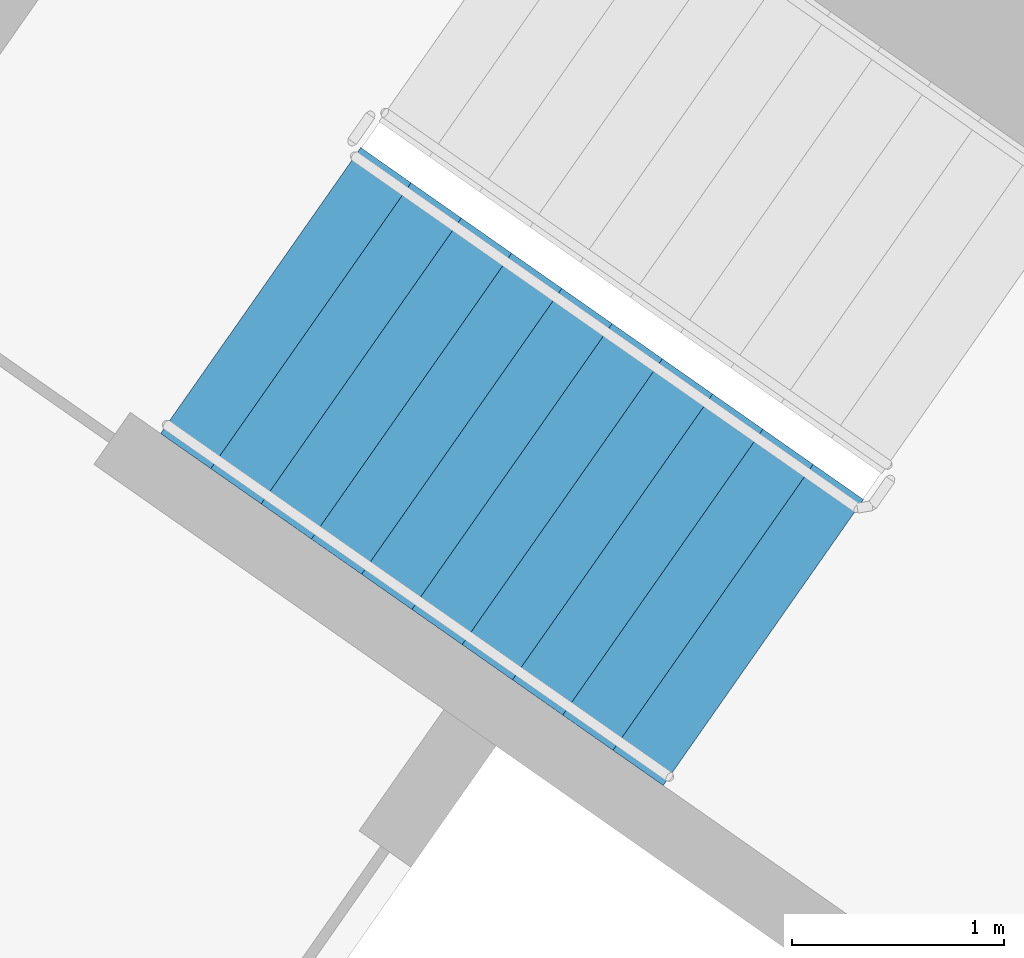
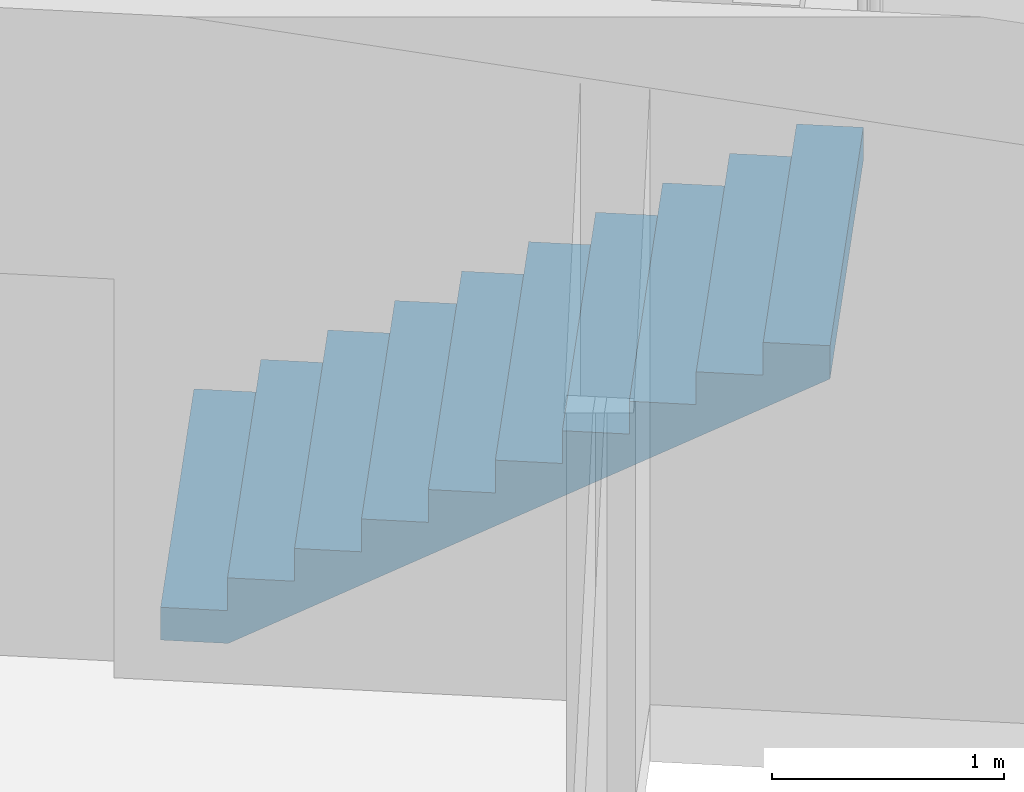
# One storey, part 10 of 31: 1 stair flight, 1 element without a shape of its own.
"""IFC4 building model written with IfcOpenShell, lengths in metres."""

from ifc_helpers import new_model, si_unit, direction, frame, origin, place, context, subcontext, project, spatial, faceted_brep, material, type_object, element, aggregate, save


model = new_model("IFC4")

# Units and contexts
model_context = context("Model", 3, precision=1e-05, world=origin(), true_north=direction((0.0, 1.0)))
body_context = subcontext(model_context, "Body", "Model", "MODEL_VIEW")
ifc_project = project(units=[si_unit("LENGTHUNIT", "METRE"), si_unit("AREAUNIT", "SQUARE_METRE"), si_unit("VOLUMEUNIT", "CUBIC_METRE"), si_unit("PLANEANGLEUNIT", "RADIAN"), si_unit("MASSUNIT", "GRAM", prefix="KILO")], contexts=[model_context])

# Site, building, storey
site_placement = place(None, origin())
site = spatial("IfcSite", under=ifc_project, at=site_placement, CompositionType="ELEMENT")
building_placement = place(site_placement, origin())
building = spatial("IfcBuilding", under=site, at=building_placement, Name="Qamariyya Broadcast Tower", CompositionType="ELEMENT")
storey_placement = place(building_placement, frame((0.0, 0.0, 149.300048828125)))
storey = spatial("IfcBuildingStorey", under=building, at=storey_placement, Name="L34", CompositionType="ELEMENT", Elevation=149.300048828125)

# Stair, stair flight
ifc_material = material(Name="Concrete C50/60", Category="concrete")
stair_type = type_object("IfcStairType", Name="Exit stair 22 risers of 173 mm", PredefinedType="HALF_TURN_STAIR", material=ifc_material)
stair_placement = place(storey_placement, origin())
stair = element("IfcStair", 1, at=stair_placement, inside=storey, type_object=stair_type, Name="L34 Stair W2", PredefinedType="HALF_TURN_STAIR")
stair_flight_type = type_object("IfcStairFlightType", Name="Exit stair flight 11 risers of 173 mm", PredefinedType="STRAIGHT", material=ifc_material)
stair_flight_placement = place(storey_placement, frame((-41.59130859375, -49.15966796875, 0.0), z_axis=(0.0, 0.0, 1.0), x_axis=(0.819152044289, -0.573576436351, 0.0)))
stair_flight = element("IfcStairFlight", 2, at=stair_flight_placement, type_object=stair_flight_type, Name="ST-W2 flight 1", NumberOfRisers=11, NumberOfTreads=10, PredefinedType="STRAIGHT", RiserHeight=0.172727273, TreadLength=0.29, context=body_context, shape_type="Brep", body=[
    faceted_brep([(0.0, 0.824951171875, 0.0), (0.0, 0.824951171875, 0.172607421875), (0.2900390625, 0.824951171875, 0.172607421875), (0.2900390625, 0.824951171875, 0.345458984375), (0.580078125, 0.824951171875, 0.345458984375), (0.580078125, 0.824951171875, 0.51806640625), (0.8701171875, 0.824951171875, 0.51806640625), (0.8701171875, 0.824951171875, 0.69091796875), (1.159912109375, 0.824951171875, 0.69091796875), (1.159912109375, 0.824951171875, 0.863525390625), (1.449951171875, 0.824951171875, 0.863525390625), (1.449951171875, 0.824951171875, 1.036376953125), (1.739990234375, 0.824951171875, 1.036376953125), (1.739990234375, 0.824951171875, 1.208984375), (2.030029296875, 0.824951171875, 1.208984375), (2.030029296875, 0.824951171875, 1.3818359375), (2.320068359375, 0.824951171875, 1.3818359375), (2.320068359375, 0.824951171875, 1.554443359375), (2.610107421875, 0.824951171875, 1.554443359375), (2.610107421875, 0.824951171875, 1.727294921875), (2.89990234375, 0.824951171875, 1.727294921875), (2.89990234375, 0.824951171875, 1.552734375), (0.29296875, 0.824951171875, 0.0), (0.29296875, -0.824951171875, 0.0), (2.89990234375, -0.824951171875, 1.552734375), (2.89990234375, -0.824951171875, 1.727294921875), (2.610107421875, -0.824951171875, 1.727294921875), (2.610107421875, -0.824951171875, 1.554443359375), (2.320068359375, -0.824951171875, 1.554443359375), (2.320068359375, -0.824951171875, 1.3818359375), (2.030029296875, -0.824951171875, 1.3818359375), (2.030029296875, -0.824951171875, 1.208984375), (1.739990234375, -0.824951171875, 1.208984375), (1.739990234375, -0.824951171875, 1.036376953125), (1.449951171875, -0.824951171875, 1.036376953125), (1.449951171875, -0.824951171875, 0.863525390625), (1.159912109375, -0.824951171875, 0.863525390625), (1.159912109375, -0.824951171875, 0.69091796875), (0.8701171875, -0.824951171875, 0.69091796875), (0.8701171875, -0.824951171875, 0.51806640625), (0.580078125, -0.824951171875, 0.51806640625), (0.580078125, -0.824951171875, 0.345458984375), (0.2900390625, -0.824951171875, 0.345458984375), (0.2900390625, -0.824951171875, 0.172607421875), (0.0, -0.824951171875, 0.172607421875), (0.0, -0.824951171875, 0.0), (0.0, 0.10009765625, 0.0), (0.0, 0.086669921875, 0.0), (0.0, 0.0732421875, 0.0), (0.0, 0.06005859375, 0.0), (0.0, 0.046630859375, 0.0), (0.0, 0.033447265625, 0.0), (0.0, 0.02001953125, 0.0), (0.0, 0.006591796875, 0.0), (0.0, -0.006591796875, 0.0), (0.0, -0.02001953125, 0.0), (0.0, -0.033447265625, 0.0), (0.0, -0.046630859375, 0.0), (0.0, -0.06005859375, 0.0), (0.0, -0.0732421875, 0.0), (0.0, -0.086669921875, 0.0), (0.0, -0.10009765625, 0.0), (0.0, -0.10009765625, 0.172607421875), (0.0, -0.086669921875, 0.172607421875), (0.0, -0.0732421875, 0.172607421875), (0.0, -0.06005859375, 0.172607421875), (0.0, -0.046630859375, 0.172607421875), (0.0, -0.033447265625, 0.172607421875), (0.0, -0.02001953125, 0.172607421875), (0.0, -0.006591796875, 0.172607421875), (0.0, 0.006591796875, 0.172607421875), (0.0, 0.02001953125, 0.172607421875), (0.0, 0.033447265625, 0.172607421875), (0.0, 0.046630859375, 0.172607421875), (0.0, 0.06005859375, 0.172607421875), (0.0, 0.0732421875, 0.172607421875), (0.0, 0.086669921875, 0.172607421875), (0.0, 0.10009765625, 0.172607421875), (0.2900390625, -0.10009765625, 0.172607421875), (0.2900390625, -0.086669921875, 0.172607421875), (0.2900390625, -0.0732421875, 0.172607421875), (0.2900390625, -0.06005859375, 0.172607421875), (0.2900390625, -0.046630859375, 0.172607421875), (0.2900390625, -0.033447265625, 0.172607421875), (0.2900390625, -0.02001953125, 0.172607421875), (0.2900390625, -0.006591796875, 0.172607421875), (0.2900390625, 0.006591796875, 0.172607421875), (0.2900390625, 0.02001953125, 0.172607421875), (0.2900390625, 0.033447265625, 0.172607421875), (0.2900390625, 0.046630859375, 0.172607421875), (0.2900390625, 0.06005859375, 0.172607421875), (0.2900390625, 0.0732421875, 0.172607421875), (0.2900390625, 0.086669921875, 0.172607421875), (0.2900390625, 0.10009765625, 0.172607421875), (0.2900390625, -0.10009765625, 0.345458984375), (0.2900390625, -0.086669921875, 0.345458984375), (0.2900390625, -0.0732421875, 0.345458984375), (0.2900390625, -0.06005859375, 0.345458984375), (0.2900390625, -0.046630859375, 0.345458984375), (0.2900390625, -0.033447265625, 0.345458984375), (0.2900390625, -0.02001953125, 0.345458984375), (0.2900390625, -0.006591796875, 0.345458984375), (0.2900390625, 0.006591796875, 0.345458984375), (0.2900390625, 0.02001953125, 0.345458984375), (0.2900390625, 0.033447265625, 0.345458984375), (0.2900390625, 0.046630859375, 0.345458984375), (0.2900390625, 0.06005859375, 0.345458984375), (0.2900390625, 0.0732421875, 0.345458984375), (0.2900390625, 0.086669921875, 0.345458984375), (0.2900390625, 0.10009765625, 0.345458984375), (0.580078125, -0.10009765625, 0.345458984375), (0.580078125, -0.086669921875, 0.345458984375), (0.580078125, -0.0732421875, 0.345458984375), (0.580078125, -0.06005859375, 0.345458984375), (0.580078125, -0.046630859375, 0.345458984375), (0.580078125, -0.033447265625, 0.345458984375), (0.580078125, -0.02001953125, 0.345458984375), (0.580078125, -0.006591796875, 0.345458984375), (0.580078125, 0.006591796875, 0.345458984375), (0.580078125, 0.02001953125, 0.345458984375), (0.580078125, 0.033447265625, 0.345458984375), (0.580078125, 0.046630859375, 0.345458984375), (0.580078125, 0.06005859375, 0.345458984375), (0.580078125, 0.0732421875, 0.345458984375), (0.580078125, 0.086669921875, 0.345458984375), (0.580078125, 0.10009765625, 0.345458984375), (0.580078125, -0.10009765625, 0.51806640625), (0.580078125, -0.086669921875, 0.51806640625), (0.580078125, -0.0732421875, 0.51806640625), (0.580078125, -0.06005859375, 0.51806640625), (0.580078125, -0.046630859375, 0.51806640625), (0.580078125, -0.033447265625, 0.51806640625), (0.580078125, -0.02001953125, 0.51806640625), (0.580078125, -0.006591796875, 0.51806640625), (0.580078125, 0.006591796875, 0.51806640625), (0.580078125, 0.02001953125, 0.51806640625), (0.580078125, 0.033447265625, 0.51806640625), (0.580078125, 0.046630859375, 0.51806640625), (0.580078125, 0.06005859375, 0.51806640625), (0.580078125, 0.0732421875, 0.51806640625), (0.580078125, 0.086669921875, 0.51806640625), (0.580078125, 0.10009765625, 0.51806640625), (0.8701171875, -0.10009765625, 0.51806640625), (0.8701171875, -0.086669921875, 0.51806640625), (0.8701171875, -0.0732421875, 0.51806640625), (0.8701171875, -0.06005859375, 0.51806640625), (0.8701171875, -0.046630859375, 0.51806640625), (0.8701171875, -0.033447265625, 0.51806640625), (0.8701171875, -0.02001953125, 0.51806640625), (0.8701171875, -0.006591796875, 0.51806640625), (0.8701171875, 0.006591796875, 0.51806640625), (0.8701171875, 0.02001953125, 0.51806640625), (0.8701171875, 0.033447265625, 0.51806640625), (0.8701171875, 0.046630859375, 0.51806640625), (0.8701171875, 0.06005859375, 0.51806640625), (0.8701171875, 0.0732421875, 0.51806640625), (0.8701171875, 0.086669921875, 0.51806640625), (0.8701171875, 0.10009765625, 0.51806640625), (0.8701171875, -0.10009765625, 0.69091796875), (0.8701171875, -0.086669921875, 0.69091796875), (0.8701171875, -0.0732421875, 0.69091796875), (0.8701171875, -0.06005859375, 0.69091796875), (0.8701171875, -0.046630859375, 0.69091796875), (0.8701171875, -0.033447265625, 0.69091796875), (0.8701171875, -0.02001953125, 0.69091796875), (0.8701171875, -0.006591796875, 0.69091796875), (0.8701171875, 0.006591796875, 0.69091796875), (0.8701171875, 0.02001953125, 0.69091796875), (0.8701171875, 0.033447265625, 0.69091796875), (0.8701171875, 0.046630859375, 0.69091796875), (0.8701171875, 0.06005859375, 0.69091796875), (0.8701171875, 0.0732421875, 0.69091796875), (0.8701171875, 0.086669921875, 0.69091796875), (0.8701171875, 0.10009765625, 0.69091796875), (1.159912109375, -0.10009765625, 0.69091796875), (1.159912109375, -0.086669921875, 0.69091796875), (1.159912109375, -0.0732421875, 0.69091796875), (1.159912109375, -0.06005859375, 0.69091796875), (1.159912109375, -0.046630859375, 0.69091796875), (1.159912109375, -0.033447265625, 0.69091796875), (1.159912109375, -0.02001953125, 0.69091796875), (1.159912109375, -0.006591796875, 0.69091796875), (1.159912109375, 0.006591796875, 0.69091796875), (1.159912109375, 0.02001953125, 0.69091796875), (1.159912109375, 0.033447265625, 0.69091796875), (1.159912109375, 0.046630859375, 0.69091796875), (1.159912109375, 0.06005859375, 0.69091796875), (1.159912109375, 0.0732421875, 0.69091796875), (1.159912109375, 0.086669921875, 0.69091796875), (1.159912109375, 0.10009765625, 0.69091796875), (1.159912109375, -0.10009765625, 0.863525390625), (1.159912109375, -0.086669921875, 0.863525390625), (1.159912109375, -0.0732421875, 0.863525390625), (1.159912109375, -0.06005859375, 0.863525390625), (1.159912109375, -0.046630859375, 0.863525390625), (1.159912109375, -0.033447265625, 0.863525390625), (1.159912109375, -0.02001953125, 0.863525390625), (1.159912109375, -0.006591796875, 0.863525390625), (1.159912109375, 0.006591796875, 0.863525390625), (1.159912109375, 0.02001953125, 0.863525390625), (1.159912109375, 0.033447265625, 0.863525390625), (1.159912109375, 0.046630859375, 0.863525390625), (1.159912109375, 0.06005859375, 0.863525390625), (1.159912109375, 0.0732421875, 0.863525390625), (1.159912109375, 0.086669921875, 0.863525390625), (1.159912109375, 0.10009765625, 0.863525390625), (1.449951171875, -0.10009765625, 0.863525390625), (1.449951171875, -0.086669921875, 0.863525390625), (1.449951171875, -0.0732421875, 0.863525390625), (1.449951171875, -0.06005859375, 0.863525390625), (1.449951171875, -0.046630859375, 0.863525390625), (1.449951171875, -0.033447265625, 0.863525390625), (1.449951171875, -0.02001953125, 0.863525390625), (1.449951171875, -0.006591796875, 0.863525390625), (1.449951171875, 0.006591796875, 0.863525390625), (1.449951171875, 0.02001953125, 0.863525390625), (1.449951171875, 0.033447265625, 0.863525390625), (1.449951171875, 0.046630859375, 0.863525390625), (1.449951171875, 0.06005859375, 0.863525390625), (1.449951171875, 0.0732421875, 0.863525390625), (1.449951171875, 0.086669921875, 0.863525390625), (1.449951171875, 0.10009765625, 0.863525390625), (1.449951171875, -0.10009765625, 1.036376953125), (1.449951171875, -0.086669921875, 1.036376953125), (1.449951171875, -0.0732421875, 1.036376953125), (1.449951171875, -0.06005859375, 1.036376953125), (1.449951171875, -0.046630859375, 1.036376953125), (1.449951171875, -0.033447265625, 1.036376953125), (1.449951171875, -0.02001953125, 1.036376953125), (1.449951171875, -0.006591796875, 1.036376953125), (1.449951171875, 0.006591796875, 1.036376953125), (1.449951171875, 0.02001953125, 1.036376953125), (1.449951171875, 0.033447265625, 1.036376953125), (1.449951171875, 0.046630859375, 1.036376953125), (1.449951171875, 0.06005859375, 1.036376953125), (1.449951171875, 0.0732421875, 1.036376953125), (1.449951171875, 0.086669921875, 1.036376953125), (1.449951171875, 0.10009765625, 1.036376953125), (1.739990234375, -0.10009765625, 1.036376953125), (1.739990234375, -0.086669921875, 1.036376953125), (1.739990234375, -0.0732421875, 1.036376953125), (1.739990234375, -0.06005859375, 1.036376953125), (1.739990234375, -0.046630859375, 1.036376953125), (1.739990234375, -0.033447265625, 1.036376953125), (1.739990234375, -0.02001953125, 1.036376953125), (1.739990234375, -0.006591796875, 1.036376953125), (1.739990234375, 0.006591796875, 1.036376953125), (1.739990234375, 0.02001953125, 1.036376953125), (1.739990234375, 0.033447265625, 1.036376953125), (1.739990234375, 0.046630859375, 1.036376953125), (1.739990234375, 0.06005859375, 1.036376953125), (1.739990234375, 0.0732421875, 1.036376953125), (1.739990234375, 0.086669921875, 1.036376953125), (1.739990234375, 0.10009765625, 1.036376953125), (1.739990234375, -0.10009765625, 1.208984375), (1.739990234375, -0.086669921875, 1.208984375), (1.739990234375, -0.0732421875, 1.208984375), (1.739990234375, -0.06005859375, 1.208984375), (1.739990234375, -0.046630859375, 1.208984375), (1.739990234375, -0.033447265625, 1.208984375), (1.739990234375, -0.02001953125, 1.208984375), (1.739990234375, -0.006591796875, 1.208984375), (1.739990234375, 0.006591796875, 1.208984375), (1.739990234375, 0.02001953125, 1.208984375), (1.739990234375, 0.033447265625, 1.208984375), (1.739990234375, 0.046630859375, 1.208984375), (1.739990234375, 0.06005859375, 1.208984375), (1.739990234375, 0.0732421875, 1.208984375), (1.739990234375, 0.086669921875, 1.208984375), (1.739990234375, 0.10009765625, 1.208984375), (2.030029296875, -0.10009765625, 1.208984375), (2.030029296875, -0.086669921875, 1.208984375), (2.030029296875, -0.0732421875, 1.208984375), (2.030029296875, -0.06005859375, 1.208984375), (2.030029296875, -0.046630859375, 1.208984375), (2.030029296875, -0.033447265625, 1.208984375), (2.030029296875, -0.02001953125, 1.208984375), (2.030029296875, -0.006591796875, 1.208984375), (2.030029296875, 0.006591796875, 1.208984375), (2.030029296875, 0.02001953125, 1.208984375), (2.030029296875, 0.033447265625, 1.208984375), (2.030029296875, 0.046630859375, 1.208984375), (2.030029296875, 0.06005859375, 1.208984375), (2.030029296875, 0.0732421875, 1.208984375), (2.030029296875, 0.086669921875, 1.208984375), (2.030029296875, 0.10009765625, 1.208984375), (2.030029296875, -0.10009765625, 1.3818359375), (2.030029296875, -0.086669921875, 1.3818359375), (2.030029296875, -0.0732421875, 1.3818359375), (2.030029296875, -0.06005859375, 1.3818359375), (2.030029296875, -0.046630859375, 1.3818359375), (2.030029296875, -0.033447265625, 1.3818359375), (2.030029296875, -0.02001953125, 1.3818359375), (2.030029296875, -0.006591796875, 1.3818359375), (2.030029296875, 0.006591796875, 1.3818359375), (2.030029296875, 0.02001953125, 1.3818359375), (2.030029296875, 0.033447265625, 1.3818359375), (2.030029296875, 0.046630859375, 1.3818359375), (2.030029296875, 0.06005859375, 1.3818359375), (2.030029296875, 0.0732421875, 1.3818359375), (2.030029296875, 0.086669921875, 1.3818359375), (2.030029296875, 0.10009765625, 1.3818359375), (2.320068359375, -0.10009765625, 1.3818359375), (2.320068359375, -0.086669921875, 1.3818359375), (2.320068359375, -0.0732421875, 1.3818359375), (2.320068359375, -0.06005859375, 1.3818359375), (2.320068359375, -0.046630859375, 1.3818359375), (2.320068359375, -0.033447265625, 1.3818359375), (2.320068359375, -0.02001953125, 1.3818359375), (2.320068359375, -0.006591796875, 1.3818359375), (2.320068359375, 0.006591796875, 1.3818359375), (2.320068359375, 0.02001953125, 1.3818359375), (2.320068359375, 0.033447265625, 1.3818359375), (2.320068359375, 0.046630859375, 1.3818359375), (2.320068359375, 0.06005859375, 1.3818359375), (2.320068359375, 0.0732421875, 1.3818359375), (2.320068359375, 0.086669921875, 1.3818359375), (2.320068359375, 0.10009765625, 1.3818359375), (2.320068359375, -0.10009765625, 1.554443359375), (2.320068359375, -0.086669921875, 1.554443359375), (2.320068359375, -0.0732421875, 1.554443359375), (2.320068359375, -0.06005859375, 1.554443359375), (2.320068359375, -0.046630859375, 1.554443359375), (2.320068359375, -0.033447265625, 1.554443359375), (2.320068359375, -0.02001953125, 1.554443359375), (2.320068359375, -0.006591796875, 1.554443359375), (2.320068359375, 0.006591796875, 1.554443359375), (2.320068359375, 0.02001953125, 1.554443359375), (2.320068359375, 0.033447265625, 1.554443359375), (2.320068359375, 0.046630859375, 1.554443359375), (2.320068359375, 0.06005859375, 1.554443359375), (2.320068359375, 0.0732421875, 1.554443359375), (2.320068359375, 0.086669921875, 1.554443359375), (2.320068359375, 0.10009765625, 1.554443359375), (2.610107421875, -0.10009765625, 1.554443359375), (2.610107421875, -0.086669921875, 1.554443359375), (2.610107421875, -0.0732421875, 1.554443359375), (2.610107421875, -0.06005859375, 1.554443359375), (2.610107421875, -0.046630859375, 1.554443359375), (2.610107421875, -0.033447265625, 1.554443359375), (2.610107421875, -0.02001953125, 1.554443359375), (2.610107421875, -0.006591796875, 1.554443359375), (2.610107421875, 0.006591796875, 1.554443359375), (2.610107421875, 0.02001953125, 1.554443359375), (2.610107421875, 0.033447265625, 1.554443359375), (2.610107421875, 0.046630859375, 1.554443359375), (2.610107421875, 0.06005859375, 1.554443359375), (2.610107421875, 0.0732421875, 1.554443359375), (2.610107421875, 0.086669921875, 1.554443359375), (2.610107421875, 0.10009765625, 1.554443359375), (2.610107421875, -0.10009765625, 1.727294921875), (2.610107421875, -0.086669921875, 1.727294921875), (2.610107421875, -0.0732421875, 1.727294921875), (2.610107421875, -0.06005859375, 1.727294921875), (2.610107421875, -0.046630859375, 1.727294921875), (2.610107421875, -0.033447265625, 1.727294921875), (2.610107421875, -0.02001953125, 1.727294921875), (2.610107421875, -0.006591796875, 1.727294921875), (2.610107421875, 0.006591796875, 1.727294921875), (2.610107421875, 0.02001953125, 1.727294921875), (2.610107421875, 0.033447265625, 1.727294921875), (2.610107421875, 0.046630859375, 1.727294921875), (2.610107421875, 0.06005859375, 1.727294921875), (2.610107421875, 0.0732421875, 1.727294921875), (2.610107421875, 0.086669921875, 1.727294921875), (2.610107421875, 0.10009765625, 1.727294921875), (2.89990234375, -0.10009765625, 1.727294921875), (2.89990234375, -0.086669921875, 1.727294921875), (2.89990234375, -0.0732421875, 1.727294921875), (2.89990234375, -0.06005859375, 1.727294921875), (2.89990234375, -0.046630859375, 1.727294921875), (2.89990234375, -0.033447265625, 1.727294921875), (2.89990234375, -0.02001953125, 1.727294921875), (2.89990234375, -0.006591796875, 1.727294921875), (2.89990234375, 0.006591796875, 1.727294921875), (2.89990234375, 0.02001953125, 1.727294921875), (2.89990234375, 0.033447265625, 1.727294921875), (2.89990234375, 0.046630859375, 1.727294921875), (2.89990234375, 0.06005859375, 1.727294921875), (2.89990234375, 0.0732421875, 1.727294921875), (2.89990234375, 0.086669921875, 1.727294921875), (2.89990234375, 0.10009765625, 1.727294921875), (2.89990234375, -0.10009765625, 1.552734375), (2.89990234375, -0.086669921875, 1.552734375), (2.89990234375, -0.0732421875, 1.552734375), (2.89990234375, -0.06005859375, 1.552734375), (2.89990234375, -0.046630859375, 1.552734375), (2.89990234375, -0.033447265625, 1.552734375), (2.89990234375, -0.02001953125, 1.552734375), (2.89990234375, -0.006591796875, 1.552734375), (2.89990234375, 0.006591796875, 1.552734375), (2.89990234375, 0.02001953125, 1.552734375), (2.89990234375, 0.033447265625, 1.552734375), (2.89990234375, 0.046630859375, 1.552734375), (2.89990234375, 0.06005859375, 1.552734375), (2.89990234375, 0.0732421875, 1.552734375), (2.89990234375, 0.086669921875, 1.552734375), (2.89990234375, 0.10009765625, 1.552734375), (0.29296875, -0.10009765625, 0.0), (0.29296875, -0.086669921875, 0.0), (0.29296875, -0.0732421875, 0.0), (0.29296875, -0.06005859375, 0.0), (0.29296875, -0.046630859375, 0.0), (0.29296875, -0.033447265625, 0.0), (0.29296875, -0.02001953125, 0.0), (0.29296875, -0.006591796875, 0.0), (0.29296875, 0.006591796875, 0.0), (0.29296875, 0.02001953125, 0.0), (0.29296875, 0.033447265625, 0.0), (0.29296875, 0.046630859375, 0.0), (0.29296875, 0.06005859375, 0.0), (0.29296875, 0.0732421875, 0.0), (0.29296875, 0.086669921875, 0.0), (0.29296875, 0.10009765625, 0.0)], [[[0, 1, 2, 3, 4, 5, 6, 7, 8, 9, 10, 11, 12, 13, 14, 15, 16, 17, 18, 19, 20, 21, 22]], [[23, 24, 25, 26, 27, 28, 29, 30, 31, 32, 33, 34, 35, 36, 37, 38, 39, 40, 41, 42, 43, 44, 45]], [[0, 46, 47, 48, 49, 50, 51, 52, 53, 54, 55, 56, 57, 58, 59, 60, 61, 45, 44, 62, 63, 64, 65, 66, 67, 68, 69, 70, 71, 72, 73, 74, 75, 76, 77, 1]], [[1, 77, 76, 75, 74, 73, 72, 71, 70, 69, 68, 67, 66, 65, 64, 63, 62, 44, 43, 78, 79, 80, 81, 82, 83, 84, 85, 86, 87, 88, 89, 90, 91, 92, 93, 2]], [[2, 93, 92, 91, 90, 89, 88, 87, 86, 85, 84, 83, 82, 81, 80, 79, 78, 43, 42, 94, 95, 96, 97, 98, 99, 100, 101, 102, 103, 104, 105, 106, 107, 108, 109, 3]], [[3, 109, 108, 107, 106, 105, 104, 103, 102, 101, 100, 99, 98, 97, 96, 95, 94, 42, 41, 110, 111, 112, 113, 114, 115, 116, 117, 118, 119, 120, 121, 122, 123, 124, 125, 4]], [[4, 125, 124, 123, 122, 121, 120, 119, 118, 117, 116, 115, 114, 113, 112, 111, 110, 41, 40, 126, 127, 128, 129, 130, 131, 132, 133, 134, 135, 136, 137, 138, 139, 140, 141, 5]], [[5, 141, 140, 139, 138, 137, 136, 135, 134, 133, 132, 131, 130, 129, 128, 127, 126, 40, 39, 142, 143, 144, 145, 146, 147, 148, 149, 150, 151, 152, 153, 154, 155, 156, 157, 6]], [[6, 157, 156, 155, 154, 153, 152, 151, 150, 149, 148, 147, 146, 145, 144, 143, 142, 39, 38, 158, 159, 160, 161, 162, 163, 164, 165, 166, 167, 168, 169, 170, 171, 172, 173, 7]], [[7, 173, 172, 171, 170, 169, 168, 167, 166, 165, 164, 163, 162, 161, 160, 159, 158, 38, 37, 174, 175, 176, 177, 178, 179, 180, 181, 182, 183, 184, 185, 186, 187, 188, 189, 8]], [[8, 189, 188, 187, 186, 185, 184, 183, 182, 181, 180, 179, 178, 177, 176, 175, 174, 37, 36, 190, 191, 192, 193, 194, 195, 196, 197, 198, 199, 200, 201, 202, 203, 204, 205, 9]], [[9, 205, 204, 203, 202, 201, 200, 199, 198, 197, 196, 195, 194, 193, 192, 191, 190, 36, 35, 206, 207, 208, 209, 210, 211, 212, 213, 214, 215, 216, 217, 218, 219, 220, 221, 10]], [[10, 221, 220, 219, 218, 217, 216, 215, 214, 213, 212, 211, 210, 209, 208, 207, 206, 35, 34, 222, 223, 224, 225, 226, 227, 228, 229, 230, 231, 232, 233, 234, 235, 236, 237, 11]], [[11, 237, 236, 235, 234, 233, 232, 231, 230, 229, 228, 227, 226, 225, 224, 223, 222, 34, 33, 238, 239, 240, 241, 242, 243, 244, 245, 246, 247, 248, 249, 250, 251, 252, 253, 12]], [[12, 253, 252, 251, 250, 249, 248, 247, 246, 245, 244, 243, 242, 241, 240, 239, 238, 33, 32, 254, 255, 256, 257, 258, 259, 260, 261, 262, 263, 264, 265, 266, 267, 268, 269, 13]], [[13, 269, 268, 267, 266, 265, 264, 263, 262, 261, 260, 259, 258, 257, 256, 255, 254, 32, 31, 270, 271, 272, 273, 274, 275, 276, 277, 278, 279, 280, 281, 282, 283, 284, 285, 14]], [[14, 285, 284, 283, 282, 281, 280, 279, 278, 277, 276, 275, 274, 273, 272, 271, 270, 31, 30, 286, 287, 288, 289, 290, 291, 292, 293, 294, 295, 296, 297, 298, 299, 300, 301, 15]], [[15, 301, 300, 299, 298, 297, 296, 295, 294, 293, 292, 291, 290, 289, 288, 287, 286, 30, 29, 302, 303, 304, 305, 306, 307, 308, 309, 310, 311, 312, 313, 314, 315, 316, 317, 16]], [[16, 317, 316, 315, 314, 313, 312, 311, 310, 309, 308, 307, 306, 305, 304, 303, 302, 29, 28, 318, 319, 320, 321, 322, 323, 324, 325, 326, 327, 328, 329, 330, 331, 332, 333, 17]], [[17, 333, 332, 331, 330, 329, 328, 327, 326, 325, 324, 323, 322, 321, 320, 319, 318, 28, 27, 334, 335, 336, 337, 338, 339, 340, 341, 342, 343, 344, 345, 346, 347, 348, 349, 18]], [[18, 349, 348, 347, 346, 345, 344, 343, 342, 341, 340, 339, 338, 337, 336, 335, 334, 27, 26, 350, 351, 352, 353, 354, 355, 356, 357, 358, 359, 360, 361, 362, 363, 364, 365, 19]], [[19, 365, 364, 363, 362, 361, 360, 359, 358, 357, 356, 355, 354, 353, 352, 351, 350, 26, 25, 366, 367, 368, 369, 370, 371, 372, 373, 374, 375, 376, 377, 378, 379, 380, 381, 20]], [[20, 381, 380, 379, 378, 377, 376, 375, 374, 373, 372, 371, 370, 369, 368, 367, 366, 25, 24, 382, 383, 384, 385, 386, 387, 388, 389, 390, 391, 392, 393, 394, 395, 396, 397, 21]], [[21, 397, 396, 395, 394, 393, 392, 391, 390, 389, 388, 387, 386, 385, 384, 383, 382, 24, 23, 398, 399, 400, 401, 402, 403, 404, 405, 406, 407, 408, 409, 410, 411, 412, 413, 22]], [[22, 413, 412, 411, 410, 409, 408, 407, 406, 405, 404, 403, 402, 401, 400, 399, 398, 23, 45, 61, 60, 59, 58, 57, 56, 55, 54, 53, 52, 51, 50, 49, 48, 47, 46, 0]]]),
])
aggregate(stair, [stair_flight])

save(model, "model.ifc")
